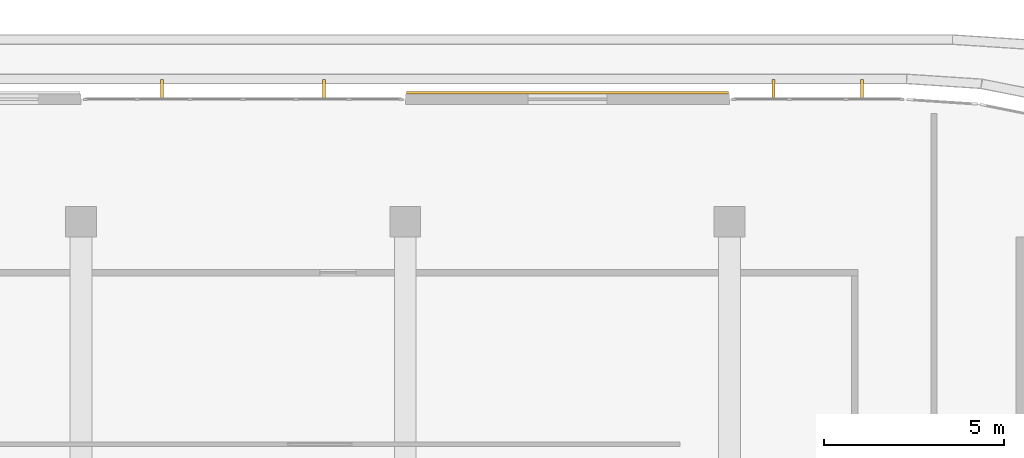
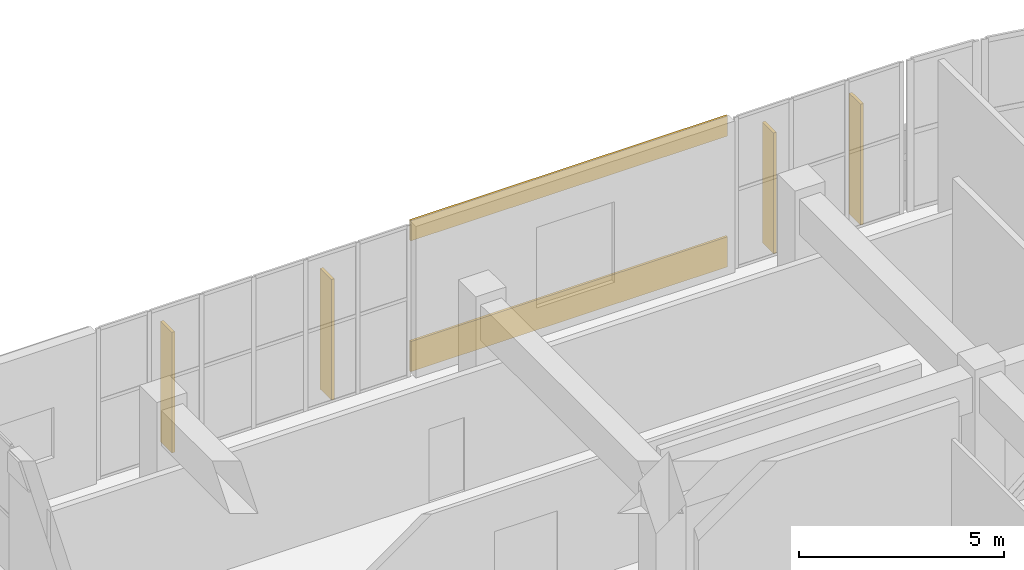
# One storey, part 66 of 67: 4 shading devices, 2 coverings.
"""IFC4 building model written with IfcOpenShell, lengths in metres."""

import ifcopenshell
import ifcopenshell.guid

model = None  # the IFC model being written
_history = None  # IfcOwnerHistory: only IFC2X3 demands one
_inside = {}  # id of a spatial element -> (the spatial element, [elements in it])
_under = {}  # id of a project, library or spatial element -> (it, [spatial elements below it])
_declared = {}  # id of a project -> (the project, [libraries it declares])
_typed = {}  # id of a type object -> (the type object, [elements of that type])
_made_of = {}  # id of a material, layer set ... -> (it, [elements and type objects made of it])


def new_model(schema):
    """Start an empty IFC model of exactly this schema.

    Asked for "IFC4X3", IfcOpenShell would pick the latest addendum, in which some entities
    have other attributes; the version numbers below select the first issue.
    IFC2X3 requires an IfcOwnerHistory on every rooted entity: one is made here for all.
    """
    global model, _history
    if schema == "IFC4X3":
        model = ifcopenshell.file(schema_version=(4, 3, 0, 0))
    else:
        model = ifcopenshell.file(schema=schema)
    _inside.clear()
    _under.clear()
    _declared.clear()
    _typed.clear()
    _made_of.clear()
    _history = None
    if model.schema == "IFC2X3":
        org = make("IfcOrganization", Name="unknown")
        user = make(
            "IfcPersonAndOrganization",
            ThePerson=make("IfcPerson", FamilyName="unknown"),
            TheOrganization=org,
        )
        app = make(
            "IfcApplication",
            ApplicationDeveloper=org,
            Version="unknown",
            ApplicationFullName="unknown",
            ApplicationIdentifier="unknown",
        )
        _history = make(
            "IfcOwnerHistory",
            OwningUser=user,
            OwningApplication=app,
            ChangeAction="ADDED",
            CreationDate=0,
        )
    return model


def make(cls, **values):
    """One entity of the class cls with the attributes given. An attribute that is None is left unset."""
    return model.create_entity(
        cls, **{name: value for name, value in values.items() if value is not None}
    )


def rooted(cls, **values):
    """An entity with a GlobalId (a new one), such as an element, a storey or a relation."""
    return make(cls, GlobalId=ifcopenshell.guid.new(), OwnerHistory=_history, **values)


def si_unit(unit_type, name, prefix=None):
    """IfcSIUnit, for example si_unit("LENGTHUNIT", "METRE", prefix="MILLI")."""
    return make("IfcSIUnit", UnitType=unit_type, Prefix=prefix, Name=name)


def assignment(units):
    """IfcUnitAssignment: the units of a project."""
    return None if units is None else make("IfcUnitAssignment", Units=units)


def point(xyz):
    """IfcCartesianPoint."""
    return None if xyz is None else make("IfcCartesianPoint", Coordinates=xyz)


def direction(xyz):
    """IfcDirection."""
    return None if xyz is None else make("IfcDirection", DirectionRatios=xyz)


def frame(location, z_axis=None, x_axis=None):
    """IfcAxis2Placement3D, a coordinate frame: its origin and axes. An axis left out is left unset."""
    return make(
        "IfcAxis2Placement3D",
        Location=point(location),
        Axis=direction(z_axis),
        RefDirection=direction(x_axis),
    )


def frame_2d(location, x_axis=None):
    """IfcAxis2Placement2D, a coordinate frame in the plane: its origin and x axis."""
    return make(
        "IfcAxis2Placement2D", Location=point(location), RefDirection=direction(x_axis)
    )


def origin():
    """The frame at (0, 0, 0) with its axes left unset."""
    return frame((0.0, 0.0, 0.0))


def origin_2d():
    """The frame at (0, 0) in the plane with its x axis left unset."""
    return frame_2d((0.0, 0.0))


def place(relative_to, where):
    """IfcLocalPlacement: puts the frame where relative to a parent placement (None: the world)."""
    return make(
        "IfcLocalPlacement", PlacementRelTo=relative_to, RelativePlacement=where
    )


def context(
    kind, dimensions, precision=None, world=None, true_north=None, identifier=None
):
    """IfcGeometricRepresentationContext, for example the 3D "Model" context."""
    return make(
        "IfcGeometricRepresentationContext",
        ContextIdentifier=identifier,
        ContextType=kind,
        CoordinateSpaceDimension=dimensions,
        Precision=precision,
        WorldCoordinateSystem=world,
        TrueNorth=true_north,
    )


def subcontext(parent, identifier, kind, view, scale=None):
    """IfcGeometricRepresentationSubContext, for example "Body" below "Model"."""
    return make(
        "IfcGeometricRepresentationSubContext",
        ContextIdentifier=identifier,
        ContextType=kind,
        ParentContext=parent,
        TargetScale=scale,
        TargetView=view,
    )


def project(units=None, contexts=None):
    """IfcProject with its units and contexts."""
    return rooted(
        "IfcProject",
        Name="project",
        RepresentationContexts=contexts,
        UnitsInContext=assignment(units),
    )


def spatial(cls, under=None, at=None, **own):
    """A site, building, storey or space (cls), placed at a placement, below another one or the project."""
    s = rooted(cls, ObjectPlacement=at, **own)
    if under is not None:
        _under.setdefault(under.id(), (under, []))[1].append(s)
    return s


def profile(cls, at=None, kind="AREA", **sizes):
    """A parametric profile (cls). Its sizes go by their IFC names, for example OverallWidth=200.0."""
    return make(cls, ProfileType=kind, Position=at, **sizes)


def rectangle(**sizes):
    """IfcRectangleProfileDef."""
    return profile("IfcRectangleProfileDef", **sizes)


def extrude(swept, where, along, depth):
    """IfcExtrudedAreaSolid: the profile swept, set in the frame where, extruded along a direction by depth."""
    return make(
        "IfcExtrudedAreaSolid",
        SweptArea=swept,
        Position=where,
        ExtrudedDirection=direction(along),
        Depth=depth,
    )


def shape(context_of_items, identifier, shape_type, items):
    """IfcShapeRepresentation: the items that make up one representation, for example the "Body"."""
    return make(
        "IfcShapeRepresentation",
        ContextOfItems=context_of_items,
        RepresentationIdentifier=identifier,
        RepresentationType=shape_type,
        Items=items,
    )


def material(Name=None, Category=None):
    """IfcMaterial."""
    return make("IfcMaterial", Name=Name, Category=Category)


def layer(
    of_material, thickness, ventilated=None, Name=None, Category=None, Priority=None
):
    """IfcMaterialLayer: one layer of a wall or slab, of a material (None: an air gap)."""
    return make(
        "IfcMaterialLayer",
        Material=of_material,
        LayerThickness=thickness,
        IsVentilated=ventilated,
        Name=Name,
        Category=Category,
        Priority=Priority,
    )


def layer_set(layers, Name=None):
    """IfcMaterialLayerSet."""
    return make("IfcMaterialLayerSet", MaterialLayers=layers, LayerSetName=Name)


def made_of(thing, what):
    """Note that an element or type object is made of a material, layer set ...; save() writes the relation."""
    if what is not None:
        _made_of.setdefault(what.id(), (what, []))[1].append(thing)
    return thing


def type_object(cls, material=None, **own):
    """A type object (cls), such as IfcWallType, which elements share."""
    return made_of(rooted(cls, **own), material)


def element(
    cls,
    number,
    at=None,
    inside=None,
    cuts=None,
    type_object=None,
    material=None,
    context=None,
    identifier="Body",
    shape_type=None,
    held_by="IfcProductDefinitionShape",
    body=None,
    shapes=None,
    **own,
):
    """One element of the class cls, such as IfcWall. Its Tag is "e" and its number.

    at: its placement. inside: the storey or other place that contains it. cuts: it is an
    opening in that element (IfcRelVoidsElement). A single representation is given by context,
    identifier, shape_type and body (its items); several are given by shapes. held_by: the class
    of the entity that holds the representations. save() writes the other relations.
    """
    e = rooted(cls, Tag="e%d" % number, ObjectPlacement=at, **own)
    if body is not None:
        shapes = [shape(context, identifier, shape_type, body)]
    if shapes is not None:
        e.Representation = make(held_by, Representations=shapes)
    if inside is not None:
        _inside.setdefault(inside.id(), (inside, []))[1].append(e)
    if cuts is not None:
        rooted(
            "IfcRelVoidsElement", RelatingBuildingElement=cuts, RelatedOpeningElement=e
        )
    if type_object is not None:
        _typed.setdefault(type_object.id(), (type_object, []))[1].append(e)
    return made_of(e, material)


def aggregate(whole, parts):
    """IfcRelAggregates: a whole, such as a stair, and the parts it consists of."""
    return rooted("IfcRelAggregates", RelatingObject=whole, RelatedObjects=parts)


def save(model, path):
    """Write the relations noted so far, then the file.

    IfcRelAggregates (storeys below a building ...), IfcRelContainedInSpatialStructure (elements
    in a storey), IfcRelDefinesByType, IfcRelAssociatesMaterial and IfcRelDeclares: one each for
    every whole, place, type object, material and project.
    """
    for whole, parts in _under.values():
        aggregate(whole, parts)
    for where, things in _inside.values():
        rooted(
            "IfcRelContainedInSpatialStructure",
            RelatedElements=things,
            RelatingStructure=where,
        )
    for kind, things in _typed.values():
        rooted("IfcRelDefinesByType", RelatedObjects=things, RelatingType=kind)
    for what, things in _made_of.values():
        rooted("IfcRelAssociatesMaterial", RelatedObjects=things, RelatingMaterial=what)
    for by, libraries in _declared.values():
        rooted("IfcRelDeclares", RelatingContext=by, RelatedDefinitions=libraries)
    model.write(path)


model = new_model("IFC4")

# Units and contexts
model_context = context("Model", 3, precision=1e-05, world=origin(), true_north=direction((0.0, 1.0)))
body_context = subcontext(model_context, "Body", "Model", "MODEL_VIEW")
ifc_project = project(units=[si_unit("LENGTHUNIT", "METRE"), si_unit("AREAUNIT", "SQUARE_METRE"), si_unit("VOLUMEUNIT", "CUBIC_METRE"), si_unit("PLANEANGLEUNIT", "RADIAN"), si_unit("MASSUNIT", "GRAM", prefix="KILO")], contexts=[model_context])

# Site, building, storey
site_placement = place(None, origin())
site = spatial("IfcSite", under=ifc_project, at=site_placement, CompositionType="ELEMENT")
building_placement = place(site_placement, origin())
building = spatial("IfcBuilding", under=site, at=building_placement, Name="Cendralis Terraced Arcade", CompositionType="ELEMENT")
storey_placement = place(building_placement, frame((0.0, 0.0, 15.0)))
storey = spatial("IfcBuildingStorey", under=building, at=storey_placement, Name="L03", CompositionType="ELEMENT", Elevation=15.0)

# Coverings
ifc_material_1 = material(Name="Precast concrete f'c 40 MPa", Category="concrete")
ifc_layer = layer(ifc_material_1, 0.06494140625, Name="COV-CLAD-GRC-65")
ifc_layer_set = layer_set([ifc_layer], Name="Precast concrete f'c 40 MPa")
covering_type = type_object("IfcCoveringType", Name="COV-CLAD-GRC-65", PredefinedType="CLADDING", material=ifc_layer_set)
covering_1_placement = place(storey_placement, frame((143.699951171875, 110.780029296875, 0.0), z_axis=(0.0, 0.0, 1.0), x_axis=(1.0, 0.0, 0.0)))
element("IfcCovering", 1, at=covering_1_placement, inside=storey, type_object=covering_type, Name="Banded Precast Stone Spandrel Cladding L03-347", PredefinedType="CLADDING", context=body_context, shape_type="SweptSolid", body=[
    extrude(rectangle(XDim=8.93994140625, YDim=0.06494140625, at=origin_2d()), origin(), (0.0, 0.0, 1.0), 0.89990234375),
])
covering_2_placement = place(storey_placement, frame((143.699951171875, 110.780029296875, 3.89990234375), z_axis=(0.0, 0.0, 1.0), x_axis=(1.0, 0.0, 0.0)))
element("IfcCovering", 2, at=covering_2_placement, inside=storey, type_object=covering_type, Name="Banded Precast Stone Lintel Cladding L03-348", PredefinedType="CLADDING", context=body_context, shape_type="SweptSolid", body=[
    extrude(rectangle(XDim=8.93994140625, YDim=0.06494140625, at=origin_2d()), origin(), (0.0, 0.0, 1.0), 0.60009765625),
])

# Shading devices
ifc_material_2 = material(Name="Anodised aluminium EN AW-6063 T6", Category="aluminium")
shading_device_type = type_object("IfcShadingDeviceType", Name="SHD-FIN-550", PredefinedType="USERDEFINED", material=ifc_material_2)
for number, where, z_axis, x_axis, name in (
    (3, (132.449951171875, 110.8798828125, 0.050048828125), (0.0, 0.0, 1.0), (1.0, 0.0, 0.0), "Parametric Vertical Solar Fin FIN-L03-105"),
    (4, (136.949951171875, 110.8798828125, 0.050048828125), (0.0, 0.0, 1.0), (1.0, 0.0, 0.0), "Parametric Vertical Solar Fin FIN-L03-106"),
    (5, (149.425048828125, 110.8798828125, 0.050048828125), (0.0, 0.0, 1.0), (1.0, 0.0, 0.0), "Parametric Vertical Solar Fin FIN-L03-107"),
    (6, (151.875, 110.8798828125, 0.050048828125), (0.0, 0.0, 1.0), (1.0, 0.0, 0.0), "Parametric Vertical Solar Fin FIN-L03-108"),
):
    element("IfcShadingDevice", number, at=place(storey_placement, frame(where, z_axis=z_axis, x_axis=x_axis)), inside=storey, type_object=shading_device_type, Name=name, ObjectType="FIN", PredefinedType="USERDEFINED", context=body_context, shape_type="SweptSolid", body=[
        extrude(rectangle(XDim=0.0849609375, YDim=0.550048828125, at=origin_2d()), origin(), (0.0, 0.0, 1.0), 3.60009765625),
    ])

save(model, "model.ifc")
